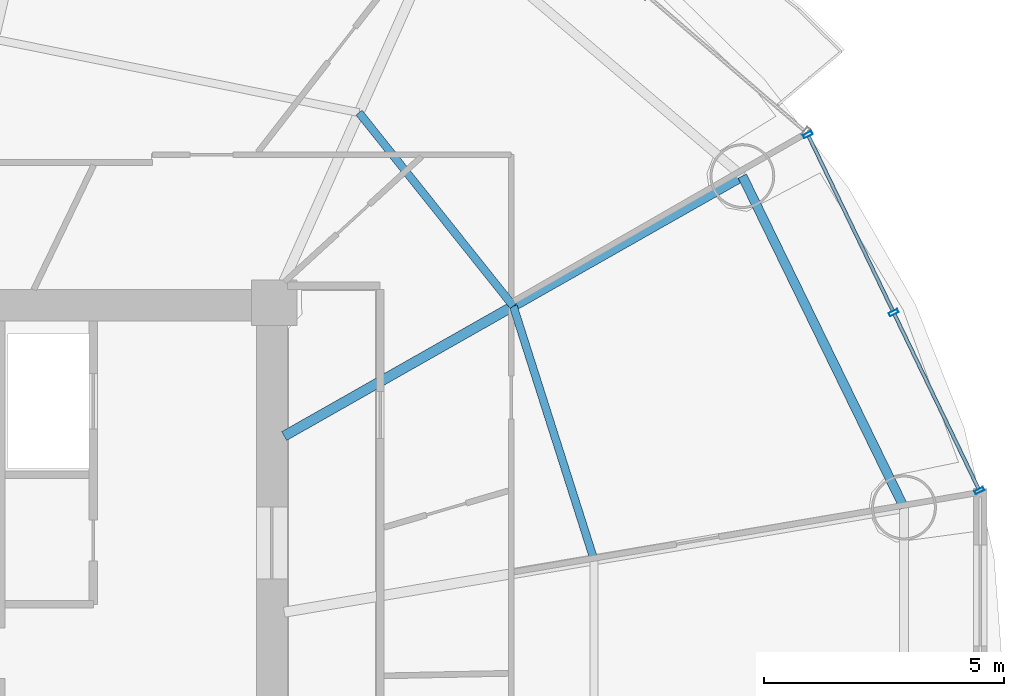
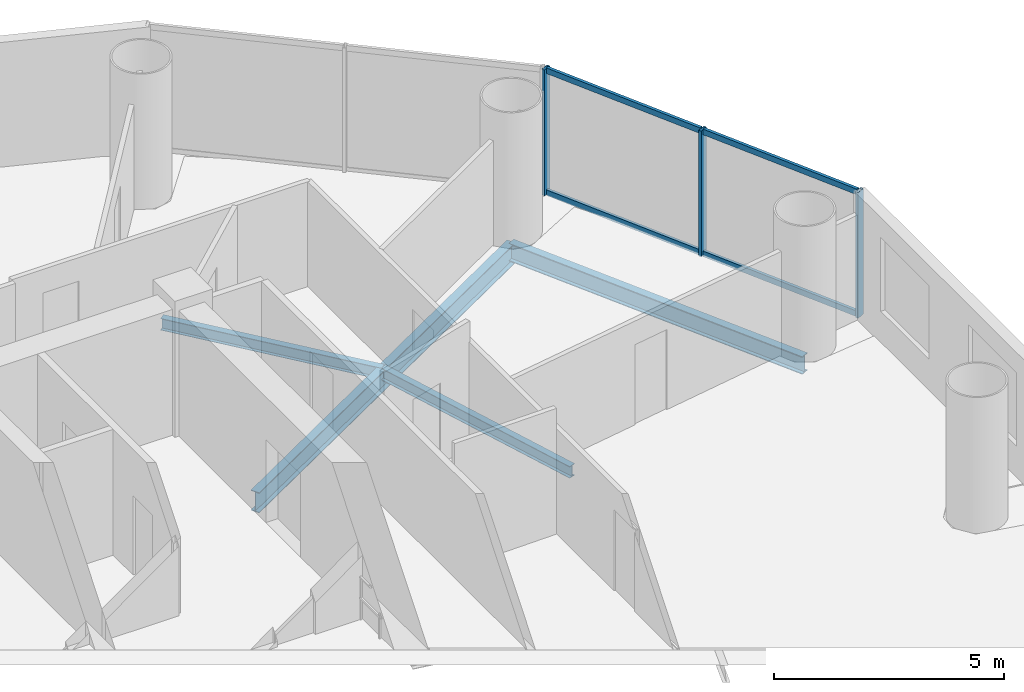
# One storey, part 13 of 27: 7 members, 4 beams, 1 element without a shape of its own.
"""IFC4 building model written with IfcOpenShell, lengths in metres."""

from ifc_helpers import new_model, si_unit, direction, frame, origin, origin_2d, place, context, subcontext, project, spatial, hollow_rectangle, i_section, extrude, source, transform, mapped, material, material_profile, profile_set, type_object, element, aggregate, save


model = new_model("IFC4")

# Units and contexts
model_context = context("Model", 3, precision=1e-05, world=origin(), true_north=direction((-0.2419218956, 0.970295726276)))
body_context = subcontext(model_context, "Body", "Model", "MODEL_VIEW")
ifc_project = project(units=[si_unit("LENGTHUNIT", "METRE"), si_unit("AREAUNIT", "SQUARE_METRE"), si_unit("VOLUMEUNIT", "CUBIC_METRE"), si_unit("PLANEANGLEUNIT", "RADIAN"), si_unit("MASSUNIT", "GRAM", prefix="KILO")], contexts=[model_context])

# Site, building, storey
site_placement = place(None, origin())
site = spatial("IfcSite", under=ifc_project, at=site_placement, CompositionType="ELEMENT")
building_placement = place(site_placement, origin())
building = spatial("IfcBuilding", under=site, at=building_placement, Name="Cobrevalo Terracotta Tower", CompositionType="ELEMENT")
storey_placement = place(building_placement, frame((0.0, 0.0, 146.199951171875)))
storey = spatial("IfcBuildingStorey", under=building, at=storey_placement, Name="L38", CompositionType="ELEMENT", Elevation=146.199951171875)

# Beams
ifc_material_1 = material(Name="Steel S355", Category="steel")
ifc_material_profile_1 = material_profile(ifc_material_1, i_section(OverallWidth=0.2109375, OverallDepth=0.5390625, WebThickness=0.01171875, FlangeThickness=0.018798828125, at=origin_2d()), Name="W 530x109")
ifc_profile_set_1 = profile_set([ifc_material_profile_1], Name="Steel S355")
beam_type_1 = type_object("IfcBeamType", Name="Structural Beam W 530x109 (Steel S355)", PredefinedType="BEAM", material=ifc_profile_set_1)
beam_1_placement = place(storey_placement, frame((56.749755859375, 37.439208984375, -0.53955078125), z_axis=(-0.869734177783, -0.493520475762, 0.0), x_axis=(0.493520475762, -0.869734177783, 0.0)))
element("IfcBeam", 1, at=beam_1_placement, inside=storey, type_object=beam_type_1, Name="L38 radial floor girder 02", PredefinedType="BEAM", context=body_context, shape_type="SweptSolid", body=[
    extrude(i_section(OverallWidth=0.2109375, OverallDepth=0.5390625, WebThickness=0.01171875, FlangeThickness=0.018798828125, at=origin_2d()), origin(), (0.0, 0.0, 1.0), 10.974365234375),
])
ifc_material_profile_2 = material_profile(ifc_material_1, i_section(OverallWidth=0.1650390625, OverallDepth=0.31005859375, WebThickness=0.005859375, FlangeThickness=0.009765625, at=origin_2d()), Name="W 310x38.7")
ifc_profile_set_2 = profile_set([ifc_material_profile_2], Name="Steel S355")
beam_type_2 = type_object("IfcBeamType", Name="Structural Joist W 310x38.7 (Steel S355)", PredefinedType="JOIST", material=ifc_profile_set_2)
beam_2_placement = place(storey_placement, frame((53.660888671875, 29.445556640625, -0.425048828125), z_axis=(-0.303497928386, 0.952832098255, 0.0), x_axis=(-0.952832098255, -0.303497928386, 0.0)))
element("IfcBeam", 2, at=beam_2_placement, inside=storey, type_object=beam_type_2, Name="L38 circumferential secondary floor joist 01", PredefinedType="JOIST", context=body_context, shape_type="SweptSolid", body=[
    extrude(i_section(OverallWidth=0.1650390625, OverallDepth=0.31005859375, WebThickness=0.005859375, FlangeThickness=0.009765625, at=origin_2d()), origin(), (0.0, 0.0, 1.0), 5.54736328125),
])
beam_3_placement = place(storey_placement, frame((51.977294921875, 34.731201171875, -0.425048828125), z_axis=(-0.62340602772, 0.781898282773, 0.0), x_axis=(-0.781898282773, -0.62340602772, 0.0)))
element("IfcBeam", 3, at=beam_3_placement, inside=storey, type_object=beam_type_2, Name="L38 circumferential secondary floor joist 02", PredefinedType="JOIST", context=body_context, shape_type="SweptSolid", body=[
    extrude(i_section(OverallWidth=0.1650390625, OverallDepth=0.31005859375, WebThickness=0.005859375, FlangeThickness=0.009765625, at=origin_2d()), origin(), (0.0, 0.0, 1.0), 5.154052734375),
])
ifc_material_profile_3 = material_profile(ifc_material_1, i_section(OverallWidth=0.194091796875, OverallDepth=0.468994140625, WebThickness=0.011474609375, FlangeThickness=0.0205078125, at=origin_2d()), Name="W 460x106")
ifc_profile_set_3 = profile_set([ifc_material_profile_3], Name="Steel S355")
beam_type_3 = type_object("IfcBeamType", Name="Structural Spandrel W 460x106 (Steel S355)", PredefinedType="SPANDREL", material=ifc_profile_set_3)
beam_4_placement = place(storey_placement, frame((60.11669921875, 30.535888671875, -0.50439453125), z_axis=(-0.438367894028, 0.89879563277, 0.0), x_axis=(-0.89879563277, -0.438367894028, 0.0)))
element("IfcBeam", 4, at=beam_4_placement, inside=storey, type_object=beam_type_3, Name="L38 perimeter ring spandrel 01", PredefinedType="SPANDREL", context=body_context, shape_type="SweptSolid", body=[
    extrude(i_section(OverallWidth=0.194091796875, OverallDepth=0.468994140625, WebThickness=0.011474609375, FlangeThickness=0.0205078125, at=origin_2d()), origin(), (0.0, 0.0, 1.0), 7.6806640625),
])

# Curtain wall, members
ifc_material_2 = material(Name="Anodized aluminium", Category="aluminium")
curtain_wall_type = type_object("IfcCurtainWallType", Name="Mid-tower high-wind unitised curtain wall CW-U2", PredefinedType="NOTDEFINED", material=ifc_material_2)
curtain_wall_placement = place(storey_placement, origin())
curtain_wall = element("IfcCurtainWall", 5, at=curtain_wall_placement, inside=storey, type_object=curtain_wall_type, Name="L38 curtain wall CW-L38-S01", PredefinedType="NOTDEFINED")
ifc_material_profile_4 = material_profile(ifc_material_2, hollow_rectangle(XDim=0.074951171875, YDim=0.199951171875, WallThickness=0.0048828125, at=origin_2d()), Name="CWM 75x200")
ifc_profile_set_4 = profile_set([ifc_material_profile_4], Name="Anodized aluminium")
member_type_1 = type_object("IfcMemberType", Name="Lower/mid tower unitised mullion 75x200", PredefinedType="MULLION", material=ifc_profile_set_4)
shared_shape_1 = source(origin(), body_context, "Body", "SweptSolid", [
    extrude(hollow_rectangle(XDim=0.074951171875, YDim=0.199951171875, WallThickness=0.0048828125, at=origin_2d()), origin(), (0.0, 0.0, 1.0), 3.330078125),
])
member_1_placement = place(storey_placement, frame((61.688232421875, 30.887939453125, 0.0), z_axis=(0.0, 0.0, 1.0), x_axis=(-0.434209440271, 0.900811945957, 0.0)))
member_1 = element("IfcMember", 6, at=member_1_placement, type_object=member_type_1, Name="CW-L38-S01 vertical mullion 01", PredefinedType="MULLION", context=body_context, shape_type="MappedRepresentation", body=[
    mapped(shared_shape_1, transform((0.0, 0.0, 0.0), scale=1.0)),
])
member_2_placement = place(storey_placement, frame((59.901123046875, 34.595703125, 0.0), z_axis=(0.0, 0.0, 1.0), x_axis=(-0.434209440271, 0.900811945957, 0.0)))
member_2 = element("IfcMember", 7, at=member_2_placement, type_object=member_type_1, Name="CW-L38-S01 vertical mullion 02", PredefinedType="MULLION", context=body_context, shape_type="MappedRepresentation", body=[
    mapped(shared_shape_1, transform((0.0, 0.0, 0.0), scale=1.0)),
])
member_3_placement = place(storey_placement, frame((58.114013671875, 38.30322265625, 0.0), z_axis=(0.0, 0.0, 1.0), x_axis=(-0.434209440271, 0.900811945957, 0.0)))
member_3 = element("IfcMember", 8, at=member_3_placement, type_object=member_type_1, Name="CW-L38-S01 vertical mullion 03", PredefinedType="MULLION", context=body_context, shape_type="MappedRepresentation", body=[
    mapped(shared_shape_1, transform((0.0, 0.0, 0.0), scale=1.0)),
])
ifc_material_profile_5 = material_profile(ifc_material_2, hollow_rectangle(XDim=0.074951171875, YDim=0.14990234375, WallThickness=0.00439453125, at=origin_2d()), Name="CWT 75x150")
ifc_profile_set_5 = profile_set([ifc_material_profile_5], Name="Anodized aluminium")
member_type_2 = type_object("IfcMemberType", Name="Tower unitised aluminium transom 75x150", PredefinedType="USERDEFINED", material=ifc_profile_set_5)
shared_shape_2 = source(origin(), body_context, "Body", "SweptSolid", [
    extrude(hollow_rectangle(XDim=0.074951171875, YDim=0.14990234375, WallThickness=0.00439453125, at=origin_2d()), origin(), (0.0, 0.0, 1.0), 4.035888671875),
])
member_4_placement = place(storey_placement, frame((61.6708984375, 30.924072265625, 0.050048828125), z_axis=(-0.434221176581, 0.900806288726, 0.0), x_axis=(-0.900806288726, -0.434221176581, 0.0)))
member_4 = element("IfcMember", 9, at=member_4_placement, type_object=member_type_2, Name="CW-L38-S01 transom B01-T1", ObjectType="TRANSOM", PredefinedType="USERDEFINED", context=body_context, shape_type="MappedRepresentation", body=[
    mapped(shared_shape_2, transform((0.0, 0.0, 0.0), scale=1.0)),
])
member_5_placement = place(storey_placement, frame((61.6708984375, 30.924072265625, 3.280029296875), z_axis=(-0.434221176581, 0.900806288726, 0.0), x_axis=(-0.900806288726, -0.434221176581, 0.0)))
member_5 = element("IfcMember", 10, at=member_5_placement, type_object=member_type_2, Name="CW-L38-S01 transom B01-T2", ObjectType="TRANSOM", PredefinedType="USERDEFINED", context=body_context, shape_type="MappedRepresentation", body=[
    mapped(shared_shape_2, transform((0.0, 0.0, 0.0), scale=1.0)),
])
member_6_placement = place(storey_placement, frame((59.8837890625, 34.631591796875, 0.050048828125), z_axis=(-0.434221176581, 0.900806288726, 0.0), x_axis=(-0.900806288726, -0.434221176581, 0.0)))
member_6 = element("IfcMember", 11, at=member_6_placement, type_object=member_type_2, Name="CW-L38-S01 transom B02-T1", ObjectType="TRANSOM", PredefinedType="USERDEFINED", context=body_context, shape_type="MappedRepresentation", body=[
    mapped(shared_shape_2, transform((0.0, 0.0, 0.0), scale=1.0)),
])
member_7_placement = place(storey_placement, frame((59.8837890625, 34.631591796875, 3.280029296875), z_axis=(-0.434221176581, 0.900806288726, 0.0), x_axis=(-0.900806288726, -0.434221176581, 0.0)))
member_7 = element("IfcMember", 12, at=member_7_placement, type_object=member_type_2, Name="CW-L38-S01 transom B02-T2", ObjectType="TRANSOM", PredefinedType="USERDEFINED", context=body_context, shape_type="MappedRepresentation", body=[
    mapped(shared_shape_2, transform((0.0, 0.0, 0.0), scale=1.0)),
])
aggregate(curtain_wall, [member_1, member_2, member_3, member_4, member_5, member_6, member_7])

save(model, "model.ifc")
